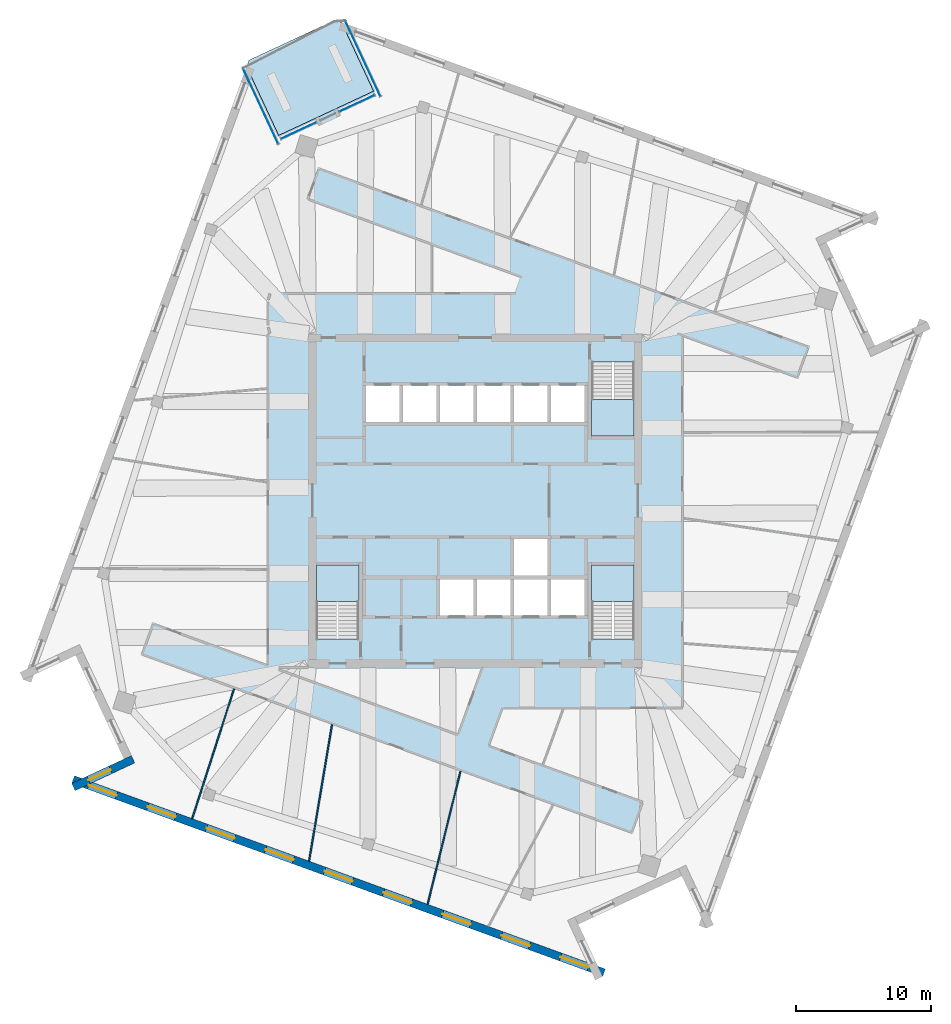
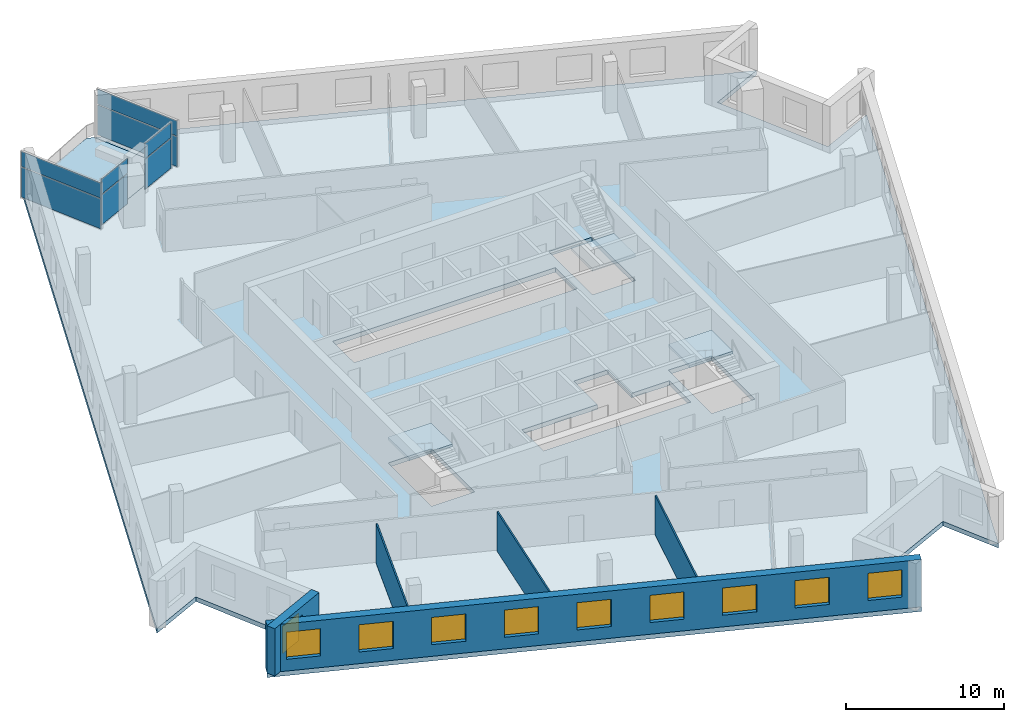
# One storey, part 5 of 13: 10 windows, 8 plates, 5 slabs, 5 walls, 10 openings, 7 elements without a shape of their own.
"""IFC4 building model written with IfcOpenShell, lengths in metres."""

from ifc_helpers import new_model, si_unit, direction, frame, frame_2d, origin, origin_2d, place, context, subcontext, project, spatial, polyline, rectangle, outline, extrude, material, layer, layer_set, type_object, element, fill, aggregate, save


model = new_model("IFC4")

# Units and contexts
model_context = context("Model", 3, precision=1e-05, world=origin(), true_north=direction((0.0, 1.0)))
body_context = subcontext(model_context, "Body", "Model", "MODEL_VIEW")
ifc_project = project(units=[si_unit("LENGTHUNIT", "METRE"), si_unit("AREAUNIT", "SQUARE_METRE"), si_unit("VOLUMEUNIT", "CUBIC_METRE"), si_unit("PLANEANGLEUNIT", "RADIAN"), si_unit("MASSUNIT", "GRAM", prefix="KILO")], contexts=[model_context])

# Site, building, storey
site_placement = place(None, origin())
site = spatial("IfcSite", under=ifc_project, at=site_placement, CompositionType="ELEMENT")
building_placement = place(site_placement, origin())
building = spatial("IfcBuilding", under=site, at=building_placement, Name="Dilmun Exchange Tower", CompositionType="ELEMENT")
storey_placement = place(building_placement, frame((0.0, 0.0, 312.5)))
storey = spatial("IfcBuildingStorey", under=building, at=storey_placement, Name="L74", CompositionType="ELEMENT", Elevation=312.5)

# Stair, slab
ifc_material_1 = material(Name="Concrete C40/50", Category="concrete")
stair_type = type_object("IfcStairType", Name="Exit stair 1500 half-turn", PredefinedType="HALF_TURN_STAIR", material=ifc_material_1)
stair_1_placement = place(storey_placement, origin())
stair_1 = element("IfcStair", 1, at=stair_1_placement, inside=storey, type_object=stair_type, Name="L74 Protected exit stair ST1", PredefinedType="HALF_TURN_STAIR")
ifc_layer_1 = layer(ifc_material_1, 0.199951171875)
ifc_layer_set_1 = layer_set([ifc_layer_1], Name="Concrete C40/50")
slab_type_1 = type_object("IfcSlabType", Name="Exit stair landing 200", PredefinedType="LANDING", material=ifc_layer_set_1)
slab_1_placement = place(storey_placement, frame((0.0, 0.0, 1.800048828125)))
slab_1 = element("IfcSlab", 2, at=slab_1_placement, type_object=slab_type_1, Name="ST1 landing 1", PredefinedType="LANDING", context=body_context, shape_type="SweptSolid", body=[
    extrude(outline(polyline([(8.64990234375, 7.5), (8.64990234375, 4.800048828125), (11.800048828125, 4.800048828125), (11.800048828125, 7.5), (8.64990234375, 7.5)])), origin(), (0.0, 0.0, 1.0), 0.199951171875),
])
aggregate(stair_1, [slab_1])

stair_2_placement = place(storey_placement, origin())
stair_2 = element("IfcStair", 3, at=stair_2_placement, inside=storey, type_object=stair_type, Name="L74 Protected exit stair ST2", PredefinedType="HALF_TURN_STAIR")
slab_2_placement = place(storey_placement, frame((0.0, 0.0, 1.800048828125)))
slab_2 = element("IfcSlab", 4, at=slab_2_placement, type_object=slab_type_1, Name="ST2 landing 1", PredefinedType="LANDING", context=body_context, shape_type="SweptSolid", body=[
    extrude(outline(polyline([(-8.64990234375, -7.5), (-8.64990234375, -4.800048828125), (-11.800048828125, -4.800048828125), (-11.800048828125, -7.5), (-8.64990234375, -7.5)])), origin(), (0.0, 0.0, 1.0), 0.199951171875),
])
aggregate(stair_2, [slab_2])

stair_3_placement = place(storey_placement, origin())
stair_3 = element("IfcStair", 5, at=stair_3_placement, inside=storey, type_object=stair_type, Name="L74 Protected exit stair ST3", PredefinedType="HALF_TURN_STAIR")
slab_3_placement = place(storey_placement, frame((0.0, 0.0, 1.800048828125)))
slab_3 = element("IfcSlab", 6, at=slab_3_placement, type_object=slab_type_1, Name="ST3 landing 1", PredefinedType="LANDING", context=body_context, shape_type="SweptSolid", body=[
    extrude(outline(polyline([(11.800048828125, -7.5), (11.800048828125, -4.800048828125), (8.64990234375, -4.800048828125), (8.64990234375, -7.5), (11.800048828125, -7.5)])), origin(), (0.0, 0.0, 1.0), 0.199951171875),
])
aggregate(stair_3, [slab_3])

# Curtain wall, plates
ifc_material_2 = material(Name="Anodised aluminium and clear glass", Category="aluminium")
curtain_wall_type = type_object("IfcCurtainWallType", Name="Garden corner glazing", PredefinedType="NOTDEFINED", material=ifc_material_2)
curtain_wall_1_placement = place(storey_placement, origin())
curtain_wall_1 = element("IfcCurtainWall", 7, at=curtain_wall_1_placement, inside=storey, type_object=curtain_wall_type, Name="Garden corner glazing run GC1.1", PredefinedType="NOTDEFINED")
ifc_material_3 = material(Name="Clear glass", Category="glass")
ifc_layer_2 = layer(ifc_material_3, 0.028076171875)
ifc_layer_set_2 = layer_set([ifc_layer_2], Name="Clear glass")
plate_type = type_object("IfcPlateType", Name="Garden corner glazing glass panel 28", PredefinedType="CURTAIN_PANEL", material=ifc_layer_set_2)
plate_1_placement = place(storey_placement, frame((-8.350830078125, 32.84033203125, 0.06005859375), z_axis=(0.0, 0.0, 1.0), x_axis=(0.4226234014, -0.906305390357, 0.0)))
plate_1 = element("IfcPlate", 8, at=plate_1_placement, type_object=plate_type, Name="GC1.1 panel 1.1", PredefinedType="CURTAIN_PANEL", context=body_context, shape_type="SweptSolid", body=[
    extrude(rectangle(XDim=6.12646484375, YDim=0.028076171875, at=origin_2d()), origin(), (0.0, 0.0, 1.0), 2.31005859375),
])
plate_2_placement = place(storey_placement, frame((-8.350830078125, 32.84033203125, 2.43017578125), z_axis=(0.0, 0.0, 1.0), x_axis=(0.4226234014, -0.906305390357, 0.0)))
plate_2 = element("IfcPlate", 9, at=plate_2_placement, type_object=plate_type, Name="GC1.1 panel 1.2", PredefinedType="CURTAIN_PANEL", context=body_context, shape_type="SweptSolid", body=[
    extrude(rectangle(XDim=6.12646484375, YDim=0.028076171875, at=origin_2d()), origin(), (0.0, 0.0, 1.0), 1.159912109375),
])
aggregate(curtain_wall_1, [plate_1, plate_2])

curtain_wall_2_placement = place(storey_placement, origin())
curtain_wall_2 = element("IfcCurtainWall", 10, at=curtain_wall_2_placement, inside=storey, type_object=curtain_wall_type, Name="Garden corner glazing run GC2.1", PredefinedType="NOTDEFINED")
plate_3_placement = place(storey_placement, frame((-8.7841796875, 29.523193359375, 0.06005859375), z_axis=(0.0, 0.0, 1.0), x_axis=(-0.906311303987, -0.422610719535, 0.0)))
plate_3 = element("IfcPlate", 11, at=plate_3_placement, type_object=plate_type, Name="GC2.1 panel 1.1", PredefinedType="CURTAIN_PANEL", context=body_context, shape_type="SweptSolid", body=[
    extrude(rectangle(XDim=2.869140625, YDim=0.028076171875, at=origin_2d()), origin(), (0.0, 0.0, 1.0), 2.31005859375),
])
plate_4_placement = place(storey_placement, frame((-8.7841796875, 29.523193359375, 2.43017578125), z_axis=(0.0, 0.0, 1.0), x_axis=(-0.906311303987, -0.422610719535, 0.0)))
plate_4 = element("IfcPlate", 12, at=plate_4_placement, type_object=plate_type, Name="GC2.1 panel 1.2", PredefinedType="CURTAIN_PANEL", context=body_context, shape_type="SweptSolid", body=[
    extrude(rectangle(XDim=2.869140625, YDim=0.028076171875, at=origin_2d()), origin(), (0.0, 0.0, 1.0), 1.159912109375),
])
aggregate(curtain_wall_2, [plate_3, plate_4])

curtain_wall_3_placement = place(storey_placement, origin())
curtain_wall_3 = element("IfcCurtainWall", 13, at=curtain_wall_3_placement, inside=storey, type_object=curtain_wall_type, Name="Garden corner glazing run GC2.3", PredefinedType="NOTDEFINED")
plate_5_placement = place(storey_placement, frame((-13.12451171875, 27.499267578125, 0.06005859375), z_axis=(0.0, 0.0, 1.0), x_axis=(-0.906311303987, -0.422610719535, 0.0)))
plate_5 = element("IfcPlate", 14, at=plate_5_placement, type_object=plate_type, Name="GC2.3 panel 1.1", PredefinedType="CURTAIN_PANEL", context=body_context, shape_type="SweptSolid", body=[
    extrude(rectangle(XDim=2.869140625, YDim=0.028076171875, at=origin_2d()), origin(), (0.0, 0.0, 1.0), 2.31005859375),
])
plate_6_placement = place(storey_placement, frame((-13.12451171875, 27.499267578125, 2.43017578125), z_axis=(0.0, 0.0, 1.0), x_axis=(-0.906311303987, -0.422610719535, 0.0)))
plate_6 = element("IfcPlate", 15, at=plate_6_placement, type_object=plate_type, Name="GC2.3 panel 1.2", PredefinedType="CURTAIN_PANEL", context=body_context, shape_type="SweptSolid", body=[
    extrude(rectangle(XDim=2.869140625, YDim=0.028076171875, at=origin_2d()), origin(), (0.0, 0.0, 1.0), 1.159912109375),
])
aggregate(curtain_wall_3, [plate_5, plate_6])

curtain_wall_4_placement = place(storey_placement, origin())
curtain_wall_4 = element("IfcCurtainWall", 16, at=curtain_wall_4_placement, inside=storey, type_object=curtain_wall_type, Name="Garden corner glazing run GC3.1", PredefinedType="NOTDEFINED")
plate_7_placement = place(storey_placement, frame((-15.944091796875, 29.299560546875, 0.06005859375), z_axis=(0.0, 0.0, 1.0), x_axis=(-0.4226234014, 0.906305390357, 0.0)))
plate_7 = element("IfcPlate", 17, at=plate_7_placement, type_object=plate_type, Name="GC3.1 panel 1.1", PredefinedType="CURTAIN_PANEL", context=body_context, shape_type="SweptSolid", body=[
    extrude(rectangle(XDim=6.12646484375, YDim=0.028076171875, at=origin_2d()), origin(), (0.0, 0.0, 1.0), 2.31005859375),
])
plate_8_placement = place(storey_placement, frame((-15.944091796875, 29.299560546875, 2.43017578125), z_axis=(0.0, 0.0, 1.0), x_axis=(-0.4226234014, 0.906305390357, 0.0)))
plate_8 = element("IfcPlate", 18, at=plate_8_placement, type_object=plate_type, Name="GC3.1 panel 1.2", PredefinedType="CURTAIN_PANEL", context=body_context, shape_type="SweptSolid", body=[
    extrude(rectangle(XDim=6.12646484375, YDim=0.028076171875, at=origin_2d()), origin(), (0.0, 0.0, 1.0), 1.159912109375),
])
aggregate(curtain_wall_4, [plate_7, plate_8])

# Slabs
ifc_layer_3 = layer(ifc_material_1, 0.35009765625)
ifc_layer_set_3 = layer_set([ifc_layer_3], Name="Concrete C40/50")
slab_type_2 = type_object("IfcSlabType", Name="RC floor slab 350", PredefinedType="FLOOR", material=ifc_layer_set_3)
slab_4_placement = place(storey_placement, frame((0.0, 0.0, -0.35009765625)))
element("IfcSlab", 19, at=slab_4_placement, inside=storey, type_object=slab_type_2, Name="Floor slab", PredefinedType="FLOOR", context=body_context, shape_type="SweptSolid", body=[
    extrude(outline(polyline([(26.100341796875, 19.20068359375), (29.692626953125, 11.497314453125), (33.57666015625, 13.308349609375), (17.166748046875, -31.77734375), (15.355712890625, -27.893310546875), (7.652099609375, -31.485595703125), (9.463134765625, -35.36962890625), (-29.984375, -21.011962890625), (-26.100341796875, -19.20068359375), (-29.692626953125, -11.497314453125), (-33.57666015625, -13.308349609375), (-16.9921875, 32.257080078125), (-14.60595703125, 27.1396484375), (-7.556396484375, 30.4267578125), (-9.94287109375, 35.544189453125), (29.984375, 21.011962890625), (26.100341796875, 19.20068359375)]), holes=[polyline([(-8.64990234375, -4.800048828125), (-11.800048828125, -4.800048828125), (-11.800048828125, -10.294921875), (-8.64990234375, -10.294921875), (-8.64990234375, -4.800048828125)]), polyline([(11.800048828125, -4.800048828125), (8.64990234375, -4.800048828125), (8.64990234375, -10.294921875), (11.800048828125, -10.294921875), (11.800048828125, -4.800048828125)]), polyline([(2.875, -5.85009765625), (-2.625, -5.85009765625), (-2.625, -8.550048828125), (8.125, -8.550048828125), (8.125, -5.85009765625), (5.375, -5.85009765625), (5.375, -2.85009765625), (2.875, -2.85009765625), (2.875, -5.85009765625)]), polyline([(8.125, 5.85009765625), (8.125, 8.550048828125), (-8.125, 8.550048828125), (-8.125, 5.85009765625), (8.125, 5.85009765625)]), polyline([(8.64990234375, 10.294921875), (8.64990234375, 4.800048828125), (11.800048828125, 4.800048828125), (11.800048828125, 10.294921875), (8.64990234375, 10.294921875)])]), origin(), (0.0, 0.0, 1.0), 0.35009765625),
])
ifc_layer_4 = layer(ifc_material_1, 0.300048828125)
ifc_layer_set_4 = layer_set([ifc_layer_4], Name="Concrete C40/50")
slab_type_3 = type_object("IfcSlabType", Name="RC garden terrace slab 300", PredefinedType="FLOOR", material=ifc_layer_set_4)
slab_5_placement = place(storey_placement, frame((0.0, 0.0, -0.300048828125)))
element("IfcSlab", 20, at=slab_5_placement, inside=storey, type_object=slab_type_3, Name="Garden terrace slab", PredefinedType="FLOOR", context=body_context, shape_type="SweptSolid", body=[
    extrude(outline(polyline([(-14.60595703125, 27.1396484375), (-16.9921875, 32.257080078125), (-16.8212890625, 32.726806640625), (-10.41259765625, 35.715087890625), (-9.94287109375, 35.544189453125), (-7.556396484375, 30.4267578125), (-14.60595703125, 27.1396484375)])), origin(), (0.0, 0.0, 1.0), 0.300048828125),
])

# Walls
ifc_material_4 = material(Name="Partition 100")
ifc_layer_5 = layer(ifc_material_4, 0.10009765625)
ifc_layer_set_5 = layer_set([ifc_layer_5], Name="Partition 100")
wall_type_1 = type_object("IfcWallType", Name="Partition 100", PredefinedType="PARTITIONING", material=ifc_layer_set_5)
wall_1_placement = place(storey_placement, frame((-21.032958984375, -23.62939453125, 0.0), z_axis=(0.0, 0.0, 1.0), x_axis=(0.306852130572, 0.951757201162, 0.0)))
element("IfcWall", 21, at=wall_1_placement, inside=storey, type_object=wall_type_1, Name="Partition", PredefinedType="PARTITIONING", context=body_context, shape_type="SweptSolid", body=[
    extrude(rectangle(XDim=10.133056640625, YDim=0.10009765625, at=frame_2d((5.06640625, 0.0))), origin(), (0.0, 0.0, 1.0), 3.050048828125),
])
wall_2_placement = place(storey_placement, frame((-12.349365234375, -26.789794921875, 0.0), z_axis=(0.0, 0.0, 1.0), x_axis=(0.165814832818, 0.986156904969, 0.0)))
element("IfcWall", 22, at=wall_2_placement, inside=storey, type_object=wall_type_1, Name="Partition", PredefinedType="PARTITIONING", context=body_context, shape_type="SweptSolid", body=[
    extrude(rectangle(XDim=10.288818359375, YDim=0.10009765625, at=frame_2d((5.14453125, 0.0))), origin(), (0.0, 0.0, 1.0), 3.050048828125),
])
wall_3_placement = place(storey_placement, frame((-3.539794921875, -29.99609375, 0.0), z_axis=(0.0, 0.0, 1.0), x_axis=(0.239628478721, 0.970864662137, 0.0)))
element("IfcWall", 23, at=wall_3_placement, inside=storey, type_object=wall_type_1, Name="Partition", PredefinedType="PARTITIONING", context=body_context, shape_type="SweptSolid", body=[
    extrude(rectangle(XDim=10.18017578125, YDim=0.10009765625, at=frame_2d((5.090087890625, 0.0))), origin(), (0.0, 0.0, 1.0), 3.050048828125),
])

# Wall, opening, window
ifc_material_5 = material(Name="Precast concrete C50/60", Category="concrete")
ifc_layer_6 = layer(ifc_material_5, 0.60009765625)
ifc_layer_set_6 = layer_set([ifc_layer_6], Name="Precast concrete C50/60")
wall_type_2 = type_object("IfcWallType", Name="Precast stone-clad wall 600", PredefinedType="STANDARD", material=ifc_layer_set_6)
wall_4_placement = place(storey_placement, frame((-25.4296875, -19.218994140625, 0.0), z_axis=(0.0, 0.0, 1.0), x_axis=(-0.906315863802, -0.422600940628, 0.0)))
wall_4 = element("IfcWall", 24, at=wall_4_placement, inside=storey, type_object=wall_type_2, Name="Facade wall L74-06", PredefinedType="STANDARD", context=body_context, shape_type="SweptSolid", body=[
    extrude(rectangle(XDim=4.8857421875, YDim=0.60009765625, at=frame_2d((2.44287109375, 0.0))), origin(), (0.0, 0.0, 1.0), 3.64990234375),
])
opening_1_placement = place(wall_4_placement, frame((1.8427734375, 0.0, 0.89990234375)))
opening_1 = element("IfcOpeningElement", 25, at=opening_1_placement, cuts=wall_4, Name="Opening W180-210", PredefinedType="OPENING", context=body_context, shape_type="SweptSolid", body=[
    extrude(rectangle(XDim=1.800048828125, YDim=2.10009765625, at=frame_2d((0.89990234375, 1.050048828125))), frame((0.0, 0.31005859375, 0.0), z_axis=(0.0, -1.0, 0.0), x_axis=(1.0, 0.0, 0.0)), (0.0, 0.0, 1.0), 0.6201171875),
])
ifc_material_6 = material(Name="Clear low-emissivity glass in aluminium frame", Category="aluminium")
window_type_1 = type_object("IfcWindowType", Name="Punched window 1800 x 2100", PartitioningType="DOUBLE_PANEL_VERTICAL", PredefinedType="WINDOW", material=ifc_material_6)
window_1_placement = place(opening_1_placement, origin())
window_1 = element("IfcWindow", 26, at=window_1_placement, inside=storey, type_object=window_type_1, Name="Window 7.1", OverallHeight=2.10009765625, OverallWidth=1.800048828125, PartitioningType="SINGLE_PANEL", PredefinedType="WINDOW", context=body_context, shape_type="SweptSolid", body=[
    extrude(rectangle(XDim=1.800048828125, YDim=2.10009765625, at=frame_2d((0.89990234375, 1.050048828125))), frame((0.0, 0.030029296875, 0.0), z_axis=(0.0, -1.0, 0.0), x_axis=(1.0, 0.0, 0.0)), (0.0, 0.0, 1.0), 0.06005859375),
])
fill(opening_1, window_1)

# Wall, openings, windows
wall_5_placement = place(storey_placement, frame((-29.8818359375, -20.72998046875, 0.0), z_axis=(0.0, 0.0, 1.0), x_axis=(0.939693709578, -0.34201715188, 0.0)))
wall_5 = element("IfcWall", 27, at=wall_5_placement, inside=storey, type_object=wall_type_2, Name="Facade wall L74-07", PredefinedType="STANDARD", context=body_context, shape_type="SweptSolid", body=[
    extrude(rectangle(XDim=41.9794921875, YDim=0.60009765625, at=frame_2d((20.98974609375, 0.0))), origin(), (0.0, 0.0, 1.0), 3.64990234375),
])
opening_2_placement = place(wall_5_placement, frame((1.232177734375, 0.0, 0.89990234375)))
opening_2 = element("IfcOpeningElement", 28, at=opening_2_placement, cuts=wall_5, Name="Opening W220-210", PredefinedType="OPENING", context=body_context, shape_type="SweptSolid", body=[
    extrude(rectangle(XDim=2.199951171875, YDim=2.10009765625, at=frame_2d((1.10009765625, 1.050048828125))), frame((0.0, 0.31005859375, 0.0), z_axis=(0.0, -1.0, 0.0), x_axis=(1.0, 0.0, 0.0)), (0.0, 0.0, 1.0), 0.6201171875),
])
opening_3_placement = place(wall_5_placement, frame((5.896484375, 0.0, 0.89990234375)))
opening_3 = element("IfcOpeningElement", 29, at=opening_3_placement, cuts=wall_5, Name="Opening W220-210", PredefinedType="OPENING", context=body_context, shape_type="SweptSolid", body=[
    extrude(rectangle(XDim=2.199951171875, YDim=2.10009765625, at=frame_2d((1.10009765625, 1.050048828125))), frame((0.0, 0.31005859375, 0.0), z_axis=(0.0, -1.0, 0.0), x_axis=(1.0, 0.0, 0.0)), (0.0, 0.0, 1.0), 0.6201171875),
])
opening_4_placement = place(wall_5_placement, frame((10.560791015625, 0.0, 0.89990234375)))
opening_4 = element("IfcOpeningElement", 30, at=opening_4_placement, cuts=wall_5, Name="Opening W220-210", PredefinedType="OPENING", context=body_context, shape_type="SweptSolid", body=[
    extrude(rectangle(XDim=2.199951171875, YDim=2.10009765625, at=frame_2d((1.10009765625, 1.050048828125))), frame((0.0, 0.31005859375, 0.0), z_axis=(0.0, -1.0, 0.0), x_axis=(1.0, 0.0, 0.0)), (0.0, 0.0, 1.0), 0.6201171875),
])
opening_5_placement = place(wall_5_placement, frame((15.22509765625, 0.0, 0.89990234375)))
opening_5 = element("IfcOpeningElement", 31, at=opening_5_placement, cuts=wall_5, Name="Opening W220-210", PredefinedType="OPENING", context=body_context, shape_type="SweptSolid", body=[
    extrude(rectangle(XDim=2.199951171875, YDim=2.10009765625, at=frame_2d((1.10009765625, 1.050048828125))), frame((0.0, 0.31005859375, 0.0), z_axis=(0.0, -1.0, 0.0), x_axis=(1.0, 0.0, 0.0)), (0.0, 0.0, 1.0), 0.6201171875),
])
opening_6_placement = place(wall_5_placement, frame((19.8896484375, 0.0, 0.89990234375)))
opening_6 = element("IfcOpeningElement", 32, at=opening_6_placement, cuts=wall_5, Name="Opening W220-210", PredefinedType="OPENING", context=body_context, shape_type="SweptSolid", body=[
    extrude(rectangle(XDim=2.199951171875, YDim=2.10009765625, at=frame_2d((1.10009765625, 1.050048828125))), frame((0.0, 0.31005859375, 0.0), z_axis=(0.0, -1.0, 0.0), x_axis=(1.0, 0.0, 0.0)), (0.0, 0.0, 1.0), 0.6201171875),
])
opening_7_placement = place(wall_5_placement, frame((24.553955078125, 0.0, 0.89990234375)))
opening_7 = element("IfcOpeningElement", 33, at=opening_7_placement, cuts=wall_5, Name="Opening W220-210", PredefinedType="OPENING", context=body_context, shape_type="SweptSolid", body=[
    extrude(rectangle(XDim=2.199951171875, YDim=2.10009765625, at=frame_2d((1.10009765625, 1.050048828125))), frame((0.0, 0.31005859375, 0.0), z_axis=(0.0, -1.0, 0.0), x_axis=(1.0, 0.0, 0.0)), (0.0, 0.0, 1.0), 0.6201171875),
])
opening_8_placement = place(wall_5_placement, frame((29.21826171875, 0.0, 0.89990234375)))
opening_8 = element("IfcOpeningElement", 34, at=opening_8_placement, cuts=wall_5, Name="Opening W220-210", PredefinedType="OPENING", context=body_context, shape_type="SweptSolid", body=[
    extrude(rectangle(XDim=2.199951171875, YDim=2.10009765625, at=frame_2d((1.10009765625, 1.050048828125))), frame((0.0, 0.31005859375, 0.0), z_axis=(0.0, -1.0, 0.0), x_axis=(1.0, 0.0, 0.0)), (0.0, 0.0, 1.0), 0.6201171875),
])
opening_9_placement = place(wall_5_placement, frame((33.8828125, 0.0, 0.89990234375)))
opening_9 = element("IfcOpeningElement", 35, at=opening_9_placement, cuts=wall_5, Name="Opening W220-210", PredefinedType="OPENING", context=body_context, shape_type="SweptSolid", body=[
    extrude(rectangle(XDim=2.199951171875, YDim=2.10009765625, at=frame_2d((1.10009765625, 1.050048828125))), frame((0.0, 0.31005859375, 0.0), z_axis=(0.0, -1.0, 0.0), x_axis=(1.0, 0.0, 0.0)), (0.0, 0.0, 1.0), 0.6201171875),
])
opening_10_placement = place(wall_5_placement, frame((38.547119140625, 0.0, 0.89990234375)))
opening_10 = element("IfcOpeningElement", 36, at=opening_10_placement, cuts=wall_5, Name="Opening W220-210", PredefinedType="OPENING", context=body_context, shape_type="SweptSolid", body=[
    extrude(rectangle(XDim=2.199951171875, YDim=2.10009765625, at=frame_2d((1.10009765625, 1.050048828125))), frame((0.0, 0.31005859375, 0.0), z_axis=(0.0, -1.0, 0.0), x_axis=(1.0, 0.0, 0.0)), (0.0, 0.0, 1.0), 0.6201171875),
])
window_type_2 = type_object("IfcWindowType", Name="Punched window 2200 x 2100", PartitioningType="DOUBLE_PANEL_VERTICAL", PredefinedType="WINDOW", material=ifc_material_6)
window_2_placement = place(opening_2_placement, origin())
window_2 = element("IfcWindow", 37, at=window_2_placement, inside=storey, type_object=window_type_2, Name="Window 8.1", OverallHeight=2.10009765625, OverallWidth=2.199951171875, PartitioningType="SINGLE_PANEL", PredefinedType="WINDOW", context=body_context, shape_type="SweptSolid", body=[
    extrude(rectangle(XDim=2.199951171875, YDim=2.10009765625, at=frame_2d((1.10009765625, 1.050048828125))), frame((0.0, 0.030029296875, 0.0), z_axis=(0.0, -1.0, 0.0), x_axis=(1.0, 0.0, 0.0)), (0.0, 0.0, 1.0), 0.06005859375),
])
fill(opening_2, window_2)
window_3_placement = place(opening_3_placement, origin())
window_3 = element("IfcWindow", 38, at=window_3_placement, inside=storey, type_object=window_type_2, Name="Window 8.2", OverallHeight=2.10009765625, OverallWidth=2.199951171875, PartitioningType="SINGLE_PANEL", PredefinedType="WINDOW", context=body_context, shape_type="SweptSolid", body=[
    extrude(rectangle(XDim=2.199951171875, YDim=2.10009765625, at=frame_2d((1.10009765625, 1.050048828125))), frame((0.0, 0.030029296875, 0.0), z_axis=(0.0, -1.0, 0.0), x_axis=(1.0, 0.0, 0.0)), (0.0, 0.0, 1.0), 0.06005859375),
])
fill(opening_3, window_3)
window_4_placement = place(opening_4_placement, origin())
window_4 = element("IfcWindow", 39, at=window_4_placement, inside=storey, type_object=window_type_2, Name="Window 8.3", OverallHeight=2.10009765625, OverallWidth=2.199951171875, PartitioningType="SINGLE_PANEL", PredefinedType="WINDOW", context=body_context, shape_type="SweptSolid", body=[
    extrude(rectangle(XDim=2.199951171875, YDim=2.10009765625, at=frame_2d((1.10009765625, 1.050048828125))), frame((0.0, 0.030029296875, 0.0), z_axis=(0.0, -1.0, 0.0), x_axis=(1.0, 0.0, 0.0)), (0.0, 0.0, 1.0), 0.06005859375),
])
fill(opening_4, window_4)
window_5_placement = place(opening_5_placement, origin())
window_5 = element("IfcWindow", 40, at=window_5_placement, inside=storey, type_object=window_type_2, Name="Window 8.4", OverallHeight=2.10009765625, OverallWidth=2.199951171875, PartitioningType="SINGLE_PANEL", PredefinedType="WINDOW", context=body_context, shape_type="SweptSolid", body=[
    extrude(rectangle(XDim=2.199951171875, YDim=2.10009765625, at=frame_2d((1.10009765625, 1.050048828125))), frame((0.0, 0.030029296875, 0.0), z_axis=(0.0, -1.0, 0.0), x_axis=(1.0, 0.0, 0.0)), (0.0, 0.0, 1.0), 0.06005859375),
])
fill(opening_5, window_5)
window_6_placement = place(opening_6_placement, origin())
window_6 = element("IfcWindow", 41, at=window_6_placement, inside=storey, type_object=window_type_2, Name="Window 8.5", OverallHeight=2.10009765625, OverallWidth=2.199951171875, PartitioningType="SINGLE_PANEL", PredefinedType="WINDOW", context=body_context, shape_type="SweptSolid", body=[
    extrude(rectangle(XDim=2.199951171875, YDim=2.10009765625, at=frame_2d((1.10009765625, 1.050048828125))), frame((0.0, 0.030029296875, 0.0), z_axis=(0.0, -1.0, 0.0), x_axis=(1.0, 0.0, 0.0)), (0.0, 0.0, 1.0), 0.06005859375),
])
fill(opening_6, window_6)
window_7_placement = place(opening_7_placement, origin())
window_7 = element("IfcWindow", 42, at=window_7_placement, inside=storey, type_object=window_type_2, Name="Window 8.6", OverallHeight=2.10009765625, OverallWidth=2.199951171875, PartitioningType="SINGLE_PANEL", PredefinedType="WINDOW", context=body_context, shape_type="SweptSolid", body=[
    extrude(rectangle(XDim=2.199951171875, YDim=2.10009765625, at=frame_2d((1.10009765625, 1.050048828125))), frame((0.0, 0.030029296875, 0.0), z_axis=(0.0, -1.0, 0.0), x_axis=(1.0, 0.0, 0.0)), (0.0, 0.0, 1.0), 0.06005859375),
])
fill(opening_7, window_7)
window_8_placement = place(opening_8_placement, origin())
window_8 = element("IfcWindow", 43, at=window_8_placement, inside=storey, type_object=window_type_2, Name="Window 8.7", OverallHeight=2.10009765625, OverallWidth=2.199951171875, PartitioningType="SINGLE_PANEL", PredefinedType="WINDOW", context=body_context, shape_type="SweptSolid", body=[
    extrude(rectangle(XDim=2.199951171875, YDim=2.10009765625, at=frame_2d((1.10009765625, 1.050048828125))), frame((0.0, 0.030029296875, 0.0), z_axis=(0.0, -1.0, 0.0), x_axis=(1.0, 0.0, 0.0)), (0.0, 0.0, 1.0), 0.06005859375),
])
fill(opening_8, window_8)
window_9_placement = place(opening_9_placement, origin())
window_9 = element("IfcWindow", 44, at=window_9_placement, inside=storey, type_object=window_type_2, Name="Window 8.8", OverallHeight=2.10009765625, OverallWidth=2.199951171875, PartitioningType="SINGLE_PANEL", PredefinedType="WINDOW", context=body_context, shape_type="SweptSolid", body=[
    extrude(rectangle(XDim=2.199951171875, YDim=2.10009765625, at=frame_2d((1.10009765625, 1.050048828125))), frame((0.0, 0.030029296875, 0.0), z_axis=(0.0, -1.0, 0.0), x_axis=(1.0, 0.0, 0.0)), (0.0, 0.0, 1.0), 0.06005859375),
])
fill(opening_9, window_9)
window_10_placement = place(opening_10_placement, origin())
window_10 = element("IfcWindow", 45, at=window_10_placement, inside=storey, type_object=window_type_2, Name="Window 8.9", OverallHeight=2.10009765625, OverallWidth=2.199951171875, PartitioningType="SINGLE_PANEL", PredefinedType="WINDOW", context=body_context, shape_type="SweptSolid", body=[
    extrude(rectangle(XDim=2.199951171875, YDim=2.10009765625, at=frame_2d((1.10009765625, 1.050048828125))), frame((0.0, 0.030029296875, 0.0), z_axis=(0.0, -1.0, 0.0), x_axis=(1.0, 0.0, 0.0)), (0.0, 0.0, 1.0), 0.06005859375),
])
fill(opening_10, window_10)

save(model, "model.ifc")
